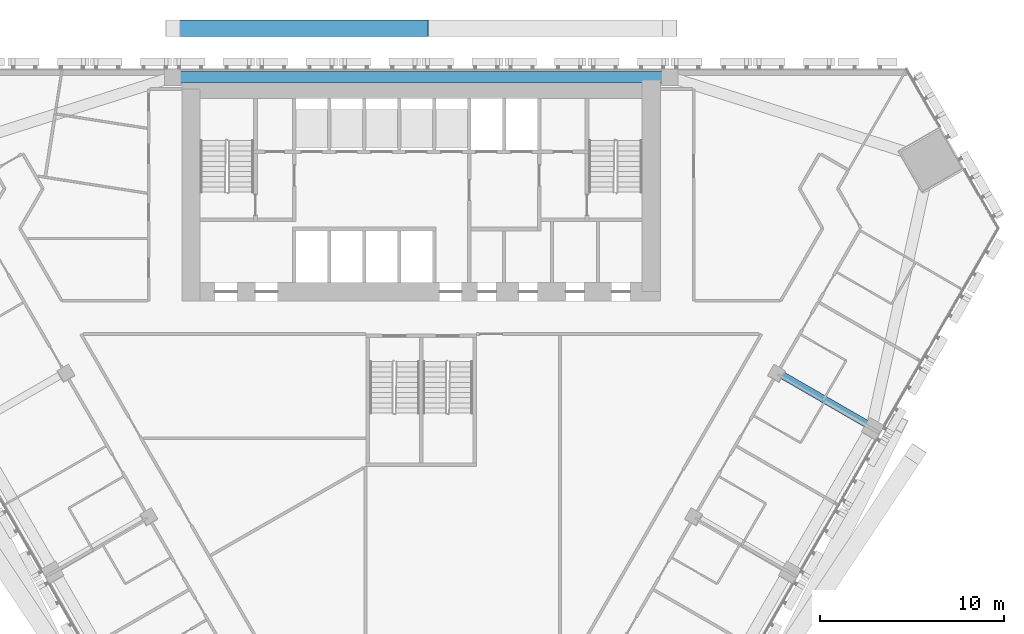
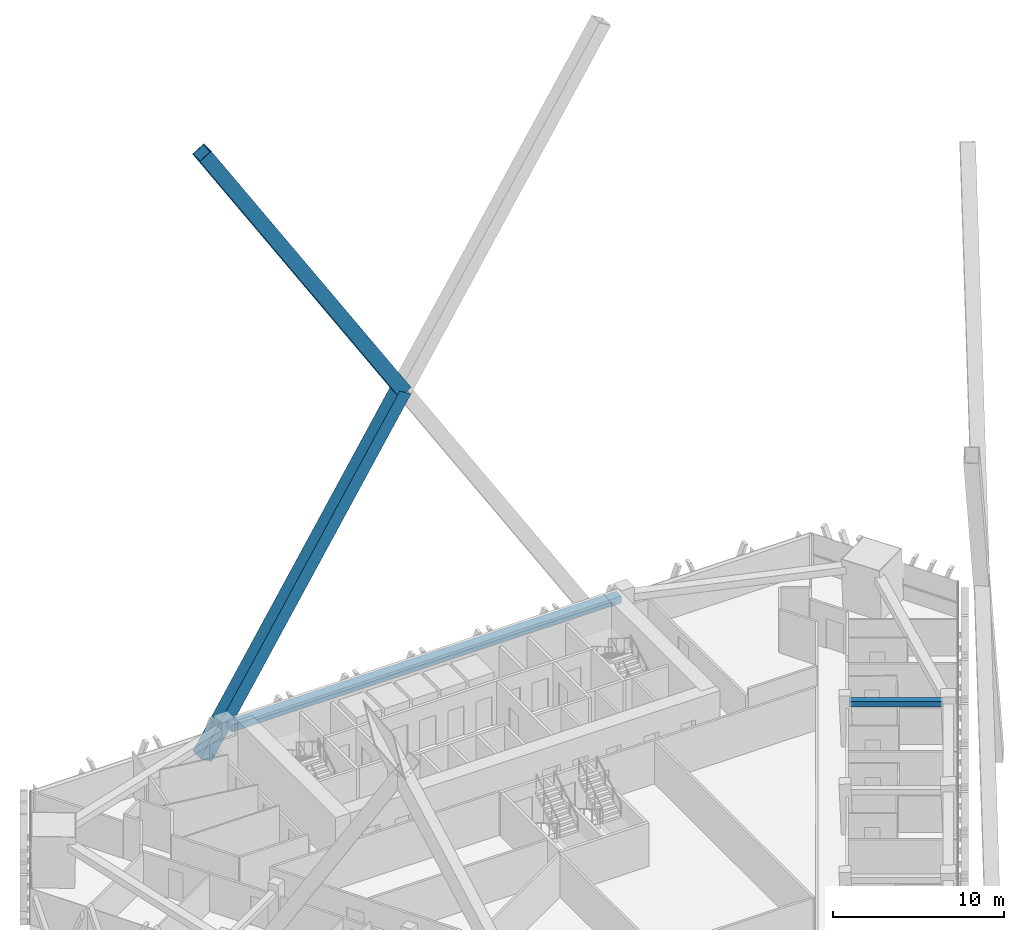
# One storey, part 13 of 24: 2 beams, 2 members.
"""IFC4 building model written with IfcOpenShell, lengths in metres."""

from ifc_helpers import new_model, si_unit, direction, frame, origin, origin_2d, place, context, subcontext, project, spatial, rectangle, hollow_rectangle, extrude, material, material_profile, profile_set, type_object, element, save


model = new_model("IFC4")

# Units and contexts
model_context = context("Model", 3, precision=1e-05, world=origin(), true_north=direction((0.0, 1.0)))
body_context = subcontext(model_context, "Body", "Model", "MODEL_VIEW")
ifc_project = project(units=[si_unit("LENGTHUNIT", "METRE"), si_unit("AREAUNIT", "SQUARE_METRE"), si_unit("VOLUMEUNIT", "CUBIC_METRE"), si_unit("PLANEANGLEUNIT", "RADIAN"), si_unit("MASSUNIT", "GRAM", prefix="KILO")], contexts=[model_context])

# Site, building, storey
site_placement = place(None, origin())
site = spatial("IfcSite", under=ifc_project, at=site_placement, CompositionType="ELEMENT")
building_placement = place(site_placement, origin())
building = spatial("IfcBuilding", under=site, at=building_placement, Name="Altiplano Prism Tower", CompositionType="ELEMENT")
storey_placement = place(building_placement, frame((0.0, 0.0, 27.0)))
storey = spatial("IfcBuildingStorey", under=building, at=storey_placement, Name="L05", CompositionType="ELEMENT", Elevation=27.0)

# Beam
ifc_material_1 = material(Name="Concrete C60/75", Category="concrete")
ifc_material_profile_1 = material_profile(ifc_material_1, rectangle(XDim=0.60009765625, YDim=0.5, at=origin_2d()), Name="Edge beam 600x500")
ifc_profile_set_1 = profile_set([ifc_material_profile_1], Name="Concrete C60/75")
beam_type_1 = type_object("IfcBeamType", Name="Edge beam 600x500", PredefinedType="SPANDREL", material=ifc_profile_set_1)
beam_1_placement = place(storey_placement, frame((98.169921875, 104.550048828125, 2.85009765625), z_axis=(-1.0, 0.0, 0.0), x_axis=(0.0, -1.0, 0.0)))
element("IfcBeam", 1, at=beam_1_placement, inside=storey, type_object=beam_type_1, Name="Edge beam P01-P04 L06", PredefinedType="SPANDREL", context=body_context, shape_type="SweptSolid", body=[
    extrude(rectangle(XDim=0.60009765625, YDim=0.5, at=origin_2d()), origin(), (0.0, 0.0, 1.0), 26.33984375),
])

# Members
ifc_material_2 = material(Name="Steel S355", Category="steel")
ifc_material_profile_2 = material_profile(ifc_material_2, hollow_rectangle(XDim=0.89990234375, YDim=0.89990234375, WallThickness=0.0400390625, at=origin_2d()), Name="Mega brace Box 900x900x40")
ifc_profile_set_2 = profile_set([ifc_material_profile_2], Name="Steel S355")
member_type = type_object("IfcMemberType", Name="Mega brace Box 900x900x40", PredefinedType="BRACE", material=ifc_profile_set_2)
member_1_placement = place(storey_placement, frame((85.0, 107.199951171875, 20.75), z_axis=(-0.529997216905, 0.0, 0.847999380939), x_axis=(0.0, -1.0, 0.0)))
element("IfcMember", 2, at=member_1_placement, inside=storey, type_object=member_type, Name="Mega brace 1.0.2", PredefinedType="BRACE", context=body_context, shape_type="SweptSolid", body=[
    extrude(hollow_rectangle(XDim=0.89990234375, YDim=0.89990234375, WallThickness=0.0400390625, at=origin_2d()), origin(), (0.0, 0.0, 1.0), 25.471923828125),
])
member_2_placement = place(storey_placement, frame((71.521240234375, 107.199951171875, -0.816162109375), z_axis=(0.529996351286, 0.0, 0.847999921948), x_axis=(0.0, 1.0, 0.0)))
element("IfcMember", 3, at=member_2_placement, inside=storey, type_object=member_type, Name="Mega brace 1.0.3", PredefinedType="BRACE", context=body_context, shape_type="SweptSolid", body=[
    extrude(hollow_rectangle(XDim=0.89990234375, YDim=0.89990234375, WallThickness=0.0400390625, at=origin_2d()), origin(), (0.0, 0.0, 1.0), 25.431884765625),
])

# Beam
ifc_material_profile_3 = material_profile(ifc_material_1, rectangle(XDim=0.39990234375, YDim=0.39990234375, at=origin_2d()), Name="Tie beam 400x400")
ifc_profile_set_3 = profile_set([ifc_material_profile_3], Name="Concrete C60/75")
beam_type_2 = type_object("IfcBeamType", Name="Tie beam 400x400", PredefinedType="BEAM", material=ifc_profile_set_3)
beam_2_placement = place(storey_placement, frame((104.426513671875, 88.46484375, 2.89990234375), z_axis=(0.866042665983, -0.499970099802, 0.0), x_axis=(0.499970099802, 0.866042665983, 0.0)))
element("IfcBeam", 4, at=beam_2_placement, inside=storey, type_object=beam_type_2, Name="Tie beam I24 L06", PredefinedType="BEAM", context=body_context, shape_type="SweptSolid", body=[
    extrude(rectangle(XDim=0.39990234375, YDim=0.39990234375, at=origin_2d()), origin(), (0.0, 0.0, 1.0), 5.489990234375),
])

save(model, "model.ifc")
